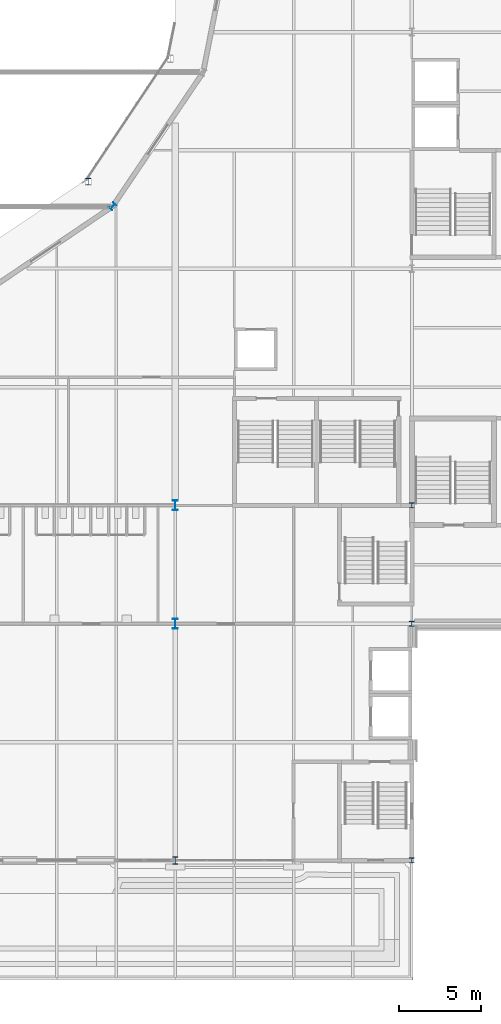
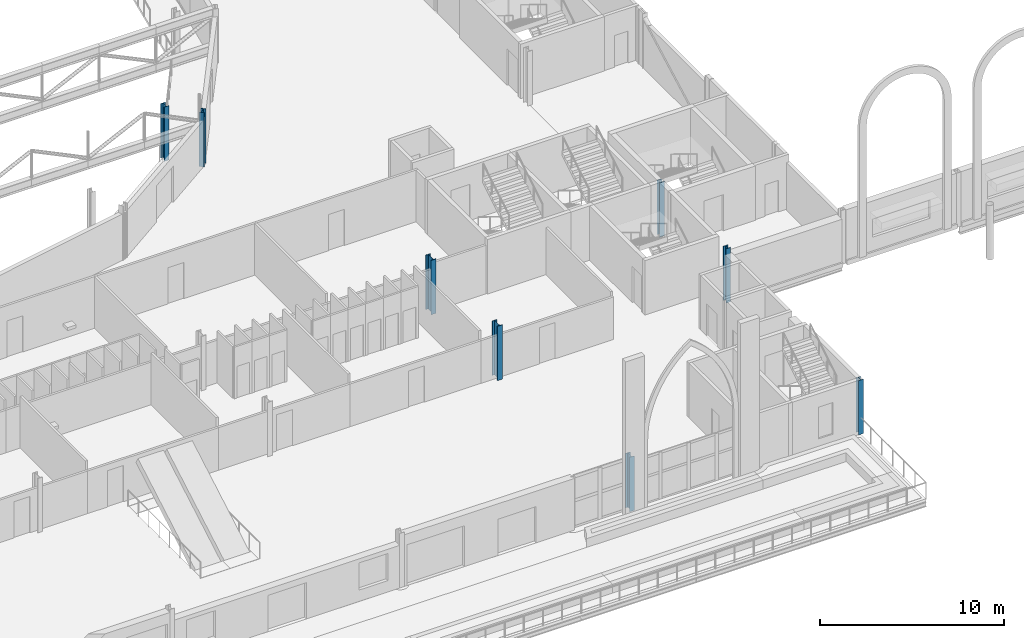
# One storey, part 4 of 143: 8 columns.
"""IFC4 building model written with IfcOpenShell, lengths in metres."""

from ifc_helpers import new_model, si_unit, direction, frame, origin, origin_2d, place, context, subcontext, project, spatial, i_section, extrude, material, material_profile, profile_set, type_object, element, save


model = new_model("IFC4")

# Units and contexts
model_context = context("Model", 3, precision=1e-05, world=origin(), true_north=direction((0.0, 1.0)))
body_context = subcontext(model_context, "Body", "Model", "MODEL_VIEW")
ifc_project = project(units=[si_unit("LENGTHUNIT", "METRE"), si_unit("AREAUNIT", "SQUARE_METRE"), si_unit("VOLUMEUNIT", "CUBIC_METRE"), si_unit("PLANEANGLEUNIT", "RADIAN"), si_unit("MASSUNIT", "GRAM", prefix="KILO")], contexts=[model_context])

# Site, building, storey
site_placement = place(None, origin())
site = spatial("IfcSite", under=ifc_project, at=site_placement, CompositionType="ELEMENT")
building_placement = place(site_placement, origin())
building = spatial("IfcBuilding", under=site, at=building_placement, Name="Kupolbacken Congress Centre", CompositionType="ELEMENT")
storey_placement = place(building_placement, frame((0.0, 0.0, 7.199951171875)))
storey = spatial("IfcBuildingStorey", under=building, at=storey_placement, Name="L02", CompositionType="ELEMENT", Elevation=7.199951171875)

# Columns
ifc_material_1 = material(Name="Steel S355", Category="steel")
ifc_material_profile_1 = material_profile(ifc_material_1, i_section(OverallWidth=0.300048828125, OverallDepth=0.449951171875, WebThickness=0.013916015625, FlangeThickness=0.02587890625, FilletRadius=0.027099609375, at=origin_2d()), Name="HEB 450")
ifc_profile_set_1 = profile_set([ifc_material_profile_1], Name="Steel S355")
column_type_1 = type_object("IfcColumnType", Name="C03 column HEB 450", PredefinedType="COLUMN", material=ifc_profile_set_1)
column_placement = place(storey_placement, frame((64.800048828125, 28.800048828125, 0.0), z_axis=(0.0, 0.0, 1.0), x_axis=(1.0, 0.0, 0.0)))
element("IfcColumn", 1, at=column_placement, inside=storey, type_object=column_type_1, Name="S/col/C-F-10E/L02", PredefinedType="COLUMN", context=body_context, shape_type="SweptSolid", body=[
    extrude(i_section(OverallWidth=0.300048828125, OverallDepth=0.449951171875, WebThickness=0.013916015625, FlangeThickness=0.02587890625, FilletRadius=0.027099609375, at=origin_2d()), origin(), (0.0, 0.0, 1.0), 3.60009765625),
])
ifc_material_2 = material(Name="Steel S355", Category="steel")
ifc_material_profile_2 = material_profile(ifc_material_2, i_section(OverallWidth=0.300048828125, OverallDepth=0.60009765625, WebThickness=0.015380859375, FlangeThickness=0.030029296875, FilletRadius=0.027099609375, at=origin_2d()), Name="HEB 600")
ifc_profile_set_2 = profile_set([ifc_material_profile_2], Name="Steel S355")
column_type_2 = type_object("IfcColumnType", Name="C05 column HEB 600", PredefinedType="COLUMN", material=ifc_profile_set_2)
for number, where, z_axis, x_axis, name in (
    (2, (64.800048828125, 43.199951171875, 0.0), (0.0, 0.0, 1.0), (1.0, 0.0, 0.0), "S/col/C-F-10G/L02"),
    (3, (64.800048828125, 50.39990234375, 0.0), (0.0, 0.0, 1.0), (1.0, 0.0, 0.0), "S/col/C-F-10H/L02"),
):
    element("IfcColumn", number, at=place(storey_placement, frame(where, z_axis=z_axis, x_axis=x_axis)), inside=storey, type_object=column_type_2, Name=name, PredefinedType="COLUMN", context=body_context, shape_type="SweptSolid", body=[
        extrude(i_section(OverallWidth=0.300048828125, OverallDepth=0.60009765625, WebThickness=0.015380859375, FlangeThickness=0.030029296875, FilletRadius=0.027099609375, at=origin_2d()), origin(), (0.0, 0.0, 1.0), 3.60009765625),
    ])
ifc_material_3 = material(Name="Steel S355", Category="steel")
ifc_material_profile_3 = material_profile(ifc_material_3, i_section(OverallWidth=0.300048828125, OverallDepth=0.300048828125, WebThickness=0.010986328125, FlangeThickness=0.01904296875, FilletRadius=0.027099609375, at=origin_2d()), Name="HEB 300")
ifc_profile_set_3 = profile_set([ifc_material_profile_3], Name="Steel S355")
column_type_3 = type_object("IfcColumnType", Name="C06 column HEB 300", PredefinedType="COLUMN", material=ifc_profile_set_3)
for number, where, z_axis, x_axis, name in (
    (4, (79.199951171875, 28.800048828125, 0.0), (0.0, 0.0, 1.0), (1.0, 0.0, 0.0), "S/col/C-F-12E/L02"),
    (5, (79.199951171875, 43.199951171875, 0.0), (0.0, 0.0, 1.0), (1.0, 0.0, 0.0), "S/col/C-F-12G/L02"),
    (6, (79.199951171875, 50.39990234375, 0.0), (0.0, 0.0, 1.0), (1.0, 0.0, 0.0), "S/col/C-F-12H/L02"),
):
    element("IfcColumn", number, at=place(storey_placement, frame(where, z_axis=z_axis, x_axis=x_axis)), inside=storey, type_object=column_type_3, Name=name, PredefinedType="COLUMN", context=body_context, shape_type="SweptSolid", body=[
        extrude(i_section(OverallWidth=0.300048828125, OverallDepth=0.300048828125, WebThickness=0.010986328125, FlangeThickness=0.01904296875, FilletRadius=0.027099609375, at=origin_2d()), origin(), (0.0, 0.0, 1.0), 3.60009765625),
    ])
ifc_material_4 = material(Name="Steel S355", Category="steel")
ifc_material_profile_4 = material_profile(ifc_material_4, i_section(OverallWidth=0.300048828125, OverallDepth=0.39990234375, WebThickness=0.013427734375, FlangeThickness=0.02392578125, FilletRadius=0.027099609375, at=origin_2d()), Name="HEB 400")
ifc_profile_set_4 = profile_set([ifc_material_profile_4], Name="Steel S355")
column_type_4 = type_object("IfcColumnType", Name="C08 column HEB 400", PredefinedType="COLUMN", material=ifc_profile_set_4)
for number, where, z_axis, x_axis, name in (
    (7, (61.0, 68.60009765625, 0.0), (0.0, 0.0, 1.0), (0.707106781187, -0.707106781187, 0.0), "S/col/C-D15/L02"),
    (8, (59.505126953125, 70.094970703125, 0.0), (0.0, 0.0, 1.0), (1.0, 0.0, 0.0), "Plenary ring column"),
):
    element("IfcColumn", number, at=place(storey_placement, frame(where, z_axis=z_axis, x_axis=x_axis)), inside=storey, type_object=column_type_4, Name=name, PredefinedType="COLUMN", context=body_context, shape_type="SweptSolid", body=[
        extrude(i_section(OverallWidth=0.300048828125, OverallDepth=0.39990234375, WebThickness=0.013427734375, FlangeThickness=0.02392578125, FilletRadius=0.027099609375, at=origin_2d()), origin(), (0.0, 0.0, 1.0), 3.60009765625),
    ])

save(model, "model.ifc")
